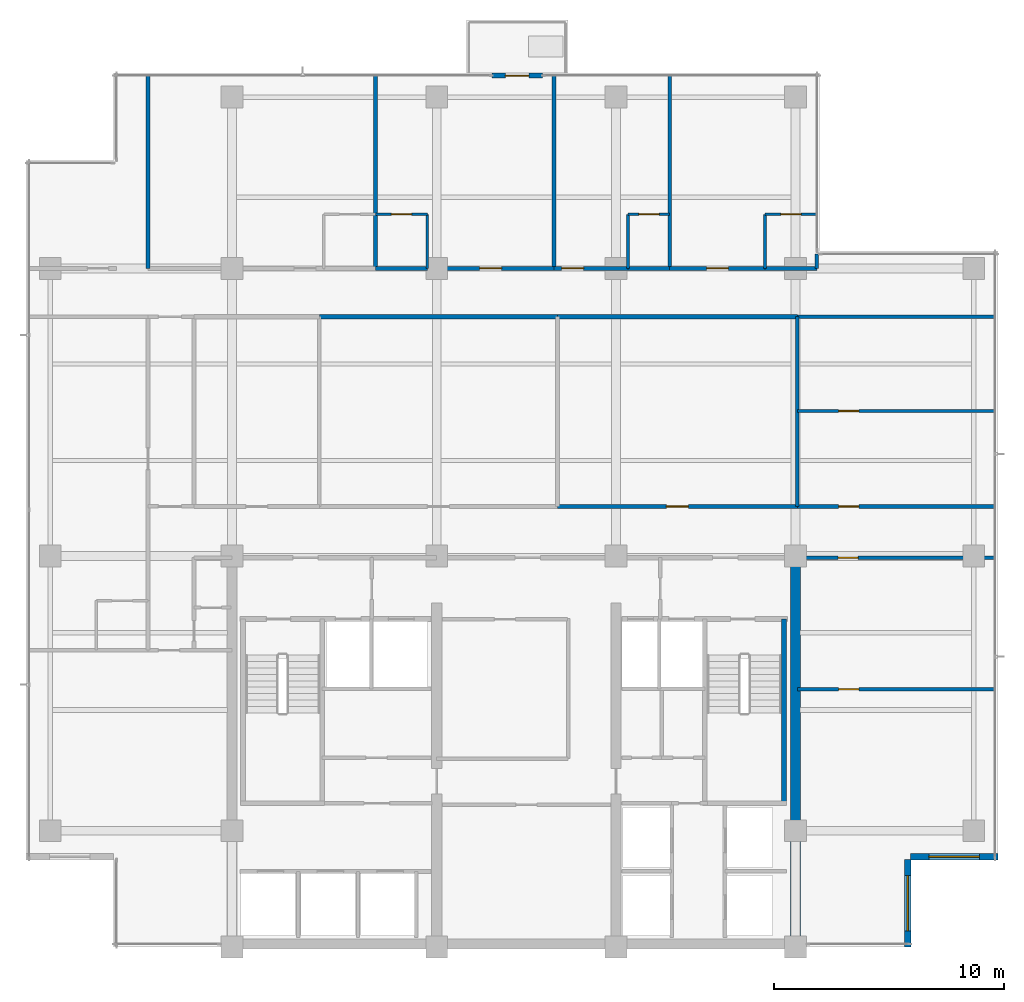
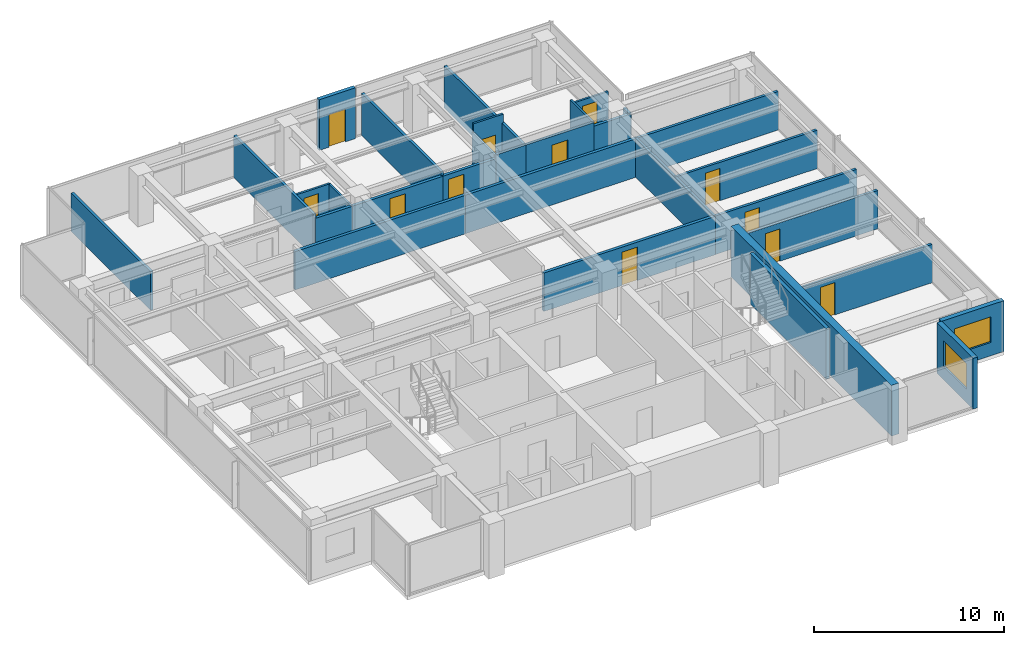
# One storey, part 9 of 15: 31 walls, 12 doors, 2 windows, 14 openings.
"""IFC4 building model written with IfcOpenShell, lengths in metres."""

import ifcopenshell
import ifcopenshell.guid

model = None  # the IFC model being written
_history = None  # IfcOwnerHistory: only IFC2X3 demands one
_inside = {}  # id of a spatial element -> (the spatial element, [elements in it])
_under = {}  # id of a project, library or spatial element -> (it, [spatial elements below it])
_declared = {}  # id of a project -> (the project, [libraries it declares])
_typed = {}  # id of a type object -> (the type object, [elements of that type])
_made_of = {}  # id of a material, layer set ... -> (it, [elements and type objects made of it])


def new_model(schema):
    """Start an empty IFC model of exactly this schema.

    Asked for "IFC4X3", IfcOpenShell would pick the latest addendum, in which some entities
    have other attributes; the version numbers below select the first issue.
    IFC2X3 requires an IfcOwnerHistory on every rooted entity: one is made here for all.
    """
    global model, _history
    if schema == "IFC4X3":
        model = ifcopenshell.file(schema_version=(4, 3, 0, 0))
    else:
        model = ifcopenshell.file(schema=schema)
    _inside.clear()
    _under.clear()
    _declared.clear()
    _typed.clear()
    _made_of.clear()
    _history = None
    if model.schema == "IFC2X3":
        org = make("IfcOrganization", Name="unknown")
        user = make(
            "IfcPersonAndOrganization",
            ThePerson=make("IfcPerson", FamilyName="unknown"),
            TheOrganization=org,
        )
        app = make(
            "IfcApplication",
            ApplicationDeveloper=org,
            Version="unknown",
            ApplicationFullName="unknown",
            ApplicationIdentifier="unknown",
        )
        _history = make(
            "IfcOwnerHistory",
            OwningUser=user,
            OwningApplication=app,
            ChangeAction="ADDED",
            CreationDate=0,
        )
    return model


def make(cls, **values):
    """One entity of the class cls with the attributes given. An attribute that is None is left unset."""
    return model.create_entity(
        cls, **{name: value for name, value in values.items() if value is not None}
    )


def rooted(cls, **values):
    """An entity with a GlobalId (a new one), such as an element, a storey or a relation."""
    return make(cls, GlobalId=ifcopenshell.guid.new(), OwnerHistory=_history, **values)


def si_unit(unit_type, name, prefix=None):
    """IfcSIUnit, for example si_unit("LENGTHUNIT", "METRE", prefix="MILLI")."""
    return make("IfcSIUnit", UnitType=unit_type, Prefix=prefix, Name=name)


def assignment(units):
    """IfcUnitAssignment: the units of a project."""
    return None if units is None else make("IfcUnitAssignment", Units=units)


def point(xyz):
    """IfcCartesianPoint."""
    return None if xyz is None else make("IfcCartesianPoint", Coordinates=xyz)


def direction(xyz):
    """IfcDirection."""
    return None if xyz is None else make("IfcDirection", DirectionRatios=xyz)


def frame(location, z_axis=None, x_axis=None):
    """IfcAxis2Placement3D, a coordinate frame: its origin and axes. An axis left out is left unset."""
    return make(
        "IfcAxis2Placement3D",
        Location=point(location),
        Axis=direction(z_axis),
        RefDirection=direction(x_axis),
    )


def frame_2d(location, x_axis=None):
    """IfcAxis2Placement2D, a coordinate frame in the plane: its origin and x axis."""
    return make(
        "IfcAxis2Placement2D", Location=point(location), RefDirection=direction(x_axis)
    )


def origin():
    """The frame at (0, 0, 0) with its axes left unset."""
    return frame((0.0, 0.0, 0.0))


def place(relative_to, where):
    """IfcLocalPlacement: puts the frame where relative to a parent placement (None: the world)."""
    return make(
        "IfcLocalPlacement", PlacementRelTo=relative_to, RelativePlacement=where
    )


def context(
    kind, dimensions, precision=None, world=None, true_north=None, identifier=None
):
    """IfcGeometricRepresentationContext, for example the 3D "Model" context."""
    return make(
        "IfcGeometricRepresentationContext",
        ContextIdentifier=identifier,
        ContextType=kind,
        CoordinateSpaceDimension=dimensions,
        Precision=precision,
        WorldCoordinateSystem=world,
        TrueNorth=true_north,
    )


def subcontext(parent, identifier, kind, view, scale=None):
    """IfcGeometricRepresentationSubContext, for example "Body" below "Model"."""
    return make(
        "IfcGeometricRepresentationSubContext",
        ContextIdentifier=identifier,
        ContextType=kind,
        ParentContext=parent,
        TargetScale=scale,
        TargetView=view,
    )


def project(units=None, contexts=None):
    """IfcProject with its units and contexts."""
    return rooted(
        "IfcProject",
        Name="project",
        RepresentationContexts=contexts,
        UnitsInContext=assignment(units),
    )


def spatial(cls, under=None, at=None, **own):
    """A site, building, storey or space (cls), placed at a placement, below another one or the project."""
    s = rooted(cls, ObjectPlacement=at, **own)
    if under is not None:
        _under.setdefault(under.id(), (under, []))[1].append(s)
    return s


def profile(cls, at=None, kind="AREA", **sizes):
    """A parametric profile (cls). Its sizes go by their IFC names, for example OverallWidth=200.0."""
    return make(cls, ProfileType=kind, Position=at, **sizes)


def rectangle(**sizes):
    """IfcRectangleProfileDef."""
    return profile("IfcRectangleProfileDef", **sizes)


def extrude(swept, where, along, depth):
    """IfcExtrudedAreaSolid: the profile swept, set in the frame where, extruded along a direction by depth."""
    return make(
        "IfcExtrudedAreaSolid",
        SweptArea=swept,
        Position=where,
        ExtrudedDirection=direction(along),
        Depth=depth,
    )


def shape(context_of_items, identifier, shape_type, items):
    """IfcShapeRepresentation: the items that make up one representation, for example the "Body"."""
    return make(
        "IfcShapeRepresentation",
        ContextOfItems=context_of_items,
        RepresentationIdentifier=identifier,
        RepresentationType=shape_type,
        Items=items,
    )


def material(Name=None, Category=None):
    """IfcMaterial."""
    return make("IfcMaterial", Name=Name, Category=Category)


def layer(
    of_material, thickness, ventilated=None, Name=None, Category=None, Priority=None
):
    """IfcMaterialLayer: one layer of a wall or slab, of a material (None: an air gap)."""
    return make(
        "IfcMaterialLayer",
        Material=of_material,
        LayerThickness=thickness,
        IsVentilated=ventilated,
        Name=Name,
        Category=Category,
        Priority=Priority,
    )


def layer_set(layers, Name=None):
    """IfcMaterialLayerSet."""
    return make("IfcMaterialLayerSet", MaterialLayers=layers, LayerSetName=Name)


def made_of(thing, what):
    """Note that an element or type object is made of a material, layer set ...; save() writes the relation."""
    if what is not None:
        _made_of.setdefault(what.id(), (what, []))[1].append(thing)
    return thing


def type_object(cls, material=None, **own):
    """A type object (cls), such as IfcWallType, which elements share."""
    return made_of(rooted(cls, **own), material)


def element(
    cls,
    number,
    at=None,
    inside=None,
    cuts=None,
    type_object=None,
    material=None,
    context=None,
    identifier="Body",
    shape_type=None,
    held_by="IfcProductDefinitionShape",
    body=None,
    shapes=None,
    **own,
):
    """One element of the class cls, such as IfcWall. Its Tag is "e" and its number.

    at: its placement. inside: the storey or other place that contains it. cuts: it is an
    opening in that element (IfcRelVoidsElement). A single representation is given by context,
    identifier, shape_type and body (its items); several are given by shapes. held_by: the class
    of the entity that holds the representations. save() writes the other relations.
    """
    e = rooted(cls, Tag="e%d" % number, ObjectPlacement=at, **own)
    if body is not None:
        shapes = [shape(context, identifier, shape_type, body)]
    if shapes is not None:
        e.Representation = make(held_by, Representations=shapes)
    if inside is not None:
        _inside.setdefault(inside.id(), (inside, []))[1].append(e)
    if cuts is not None:
        rooted(
            "IfcRelVoidsElement", RelatingBuildingElement=cuts, RelatedOpeningElement=e
        )
    if type_object is not None:
        _typed.setdefault(type_object.id(), (type_object, []))[1].append(e)
    return made_of(e, material)


def fill(opening, filler):
    """IfcRelFillsElement: the door or window that sits in an opening."""
    return rooted(
        "IfcRelFillsElement",
        RelatingOpeningElement=opening,
        RelatedBuildingElement=filler,
    )


def aggregate(whole, parts):
    """IfcRelAggregates: a whole, such as a stair, and the parts it consists of."""
    return rooted("IfcRelAggregates", RelatingObject=whole, RelatedObjects=parts)


def save(model, path):
    """Write the relations noted so far, then the file.

    IfcRelAggregates (storeys below a building ...), IfcRelContainedInSpatialStructure (elements
    in a storey), IfcRelDefinesByType, IfcRelAssociatesMaterial and IfcRelDeclares: one each for
    every whole, place, type object, material and project.
    """
    for whole, parts in _under.values():
        aggregate(whole, parts)
    for where, things in _inside.values():
        rooted(
            "IfcRelContainedInSpatialStructure",
            RelatedElements=things,
            RelatingStructure=where,
        )
    for kind, things in _typed.values():
        rooted("IfcRelDefinesByType", RelatedObjects=things, RelatingType=kind)
    for what, things in _made_of.values():
        rooted("IfcRelAssociatesMaterial", RelatedObjects=things, RelatingMaterial=what)
    for by, libraries in _declared.values():
        rooted("IfcRelDeclares", RelatingContext=by, RelatedDefinitions=libraries)
    model.write(path)


model = new_model("IFC4")

# Units and contexts
model_context = context("Model", 3, precision=1e-05, world=origin(), true_north=direction((0.0, 1.0)))
body_context = subcontext(model_context, "Body", "Model", "MODEL_VIEW")
ifc_project = project(units=[si_unit("LENGTHUNIT", "METRE"), si_unit("AREAUNIT", "SQUARE_METRE"), si_unit("VOLUMEUNIT", "CUBIC_METRE"), si_unit("PLANEANGLEUNIT", "RADIAN"), si_unit("MASSUNIT", "GRAM", prefix="KILO")], contexts=[model_context])

# Site, building, storey
site_placement = place(None, origin())
site = spatial("IfcSite", under=ifc_project, at=site_placement, CompositionType="ELEMENT")
building_placement = place(site_placement, origin())
building = spatial("IfcBuilding", under=site, at=building_placement, Name="Qalmaran Belvedere Hotel", CompositionType="ELEMENT")
storey_placement = place(building_placement, frame((0.0, 0.0, 231.89990234375)))
storey = spatial("IfcBuildingStorey", under=building, at=storey_placement, Name="L59", CompositionType="ELEMENT", Elevation=231.89990234375)

# Wall, opening, door
ifc_material_1 = material(Name="Anodised Bronze Cladding")
ifc_layer_1 = layer(ifc_material_1, 0.22509765625, Name="Anodised Bronze Cladding")
ifc_layer_set_1 = layer_set([ifc_layer_1], Name="Anodised Bronze Cladding")
wall_type_1 = type_object("IfcWallType", Name="WL-BAL-PORT-225", PredefinedType="SOLIDWALL", material=ifc_layer_set_1)
wall_1_placement = place(storey_placement, frame((31.60009765625, 41.3798828125, 0.0), z_axis=(0.0, 0.0, 1.0), x_axis=(1.0, 0.0, 0.0)))
wall_1 = element("IfcWall", 1, at=wall_1_placement, inside=storey, type_object=wall_type_1, Name="L59 Tree Balcony Door Portal", PredefinedType="SOLIDWALL", context=body_context, shape_type="SweptSolid", body=[
    extrude(rectangle(XDim=2.199951171875, YDim=0.22509765625, at=frame_2d((1.10009765625, 0.0))), origin(), (0.0, 0.0, 1.0), 3.260009765625),
])
opening_1_placement = place(wall_1_placement, frame((0.590087890625, 0.0, 0.0)))
opening_1 = element("IfcOpeningElement", 2, at=opening_1_placement, cuts=wall_1, Name="Opening BL-102", PredefinedType="OPENING", context=body_context, shape_type="SweptSolid", body=[
    extrude(rectangle(XDim=1.02001953125, YDim=2.10009765625, at=frame_2d((0.510009765625, 1.050048828125))), frame((0.0, 0.12255859375, 0.0), z_axis=(0.0, -1.0, 0.0), x_axis=(1.0, 0.0, 0.0)), (0.0, 0.0, 1.0), 0.2451171875),
])
ifc_material_2 = material(Name="Anodised Bronze Aluminium", Category="aluminium")
door_type_1 = type_object("IfcDoorType", Name="DR-BAL-1020X2100", OperationType="NOTDEFINED", PredefinedType="DOOR", material=ifc_material_2)
door_1_placement = place(opening_1_placement, origin())
door_1 = element("IfcDoor", 3, at=door_1_placement, inside=storey, type_object=door_type_1, Name="L59 Planted Tree Balcony Door", OperationType="SINGLE_SWING_RIGHT", OverallHeight=2.10009765625, OverallWidth=1.02001953125, PredefinedType="DOOR", context=body_context, shape_type="SweptSolid", body=[
    extrude(rectangle(XDim=1.02001953125, YDim=2.10009765625, at=frame_2d((0.510009765625, 1.050048828125))), frame((0.0, 0.02490234375, 0.0), z_axis=(0.0, -1.0, 0.0), x_axis=(1.0, 0.0, 0.0)), (0.0, 0.0, 1.0), 0.050048828125),
])
fill(opening_1, door_1)

# Wall
ifc_material_3 = material(Name="Concrete C50/60", Category="concrete")
ifc_layer_2 = layer(ifc_material_3, 0.449951171875, Name="Concrete C50/60")
ifc_layer_set_2 = layer_set([ifc_layer_2], Name="Concrete C50/60")
wall_type_2 = type_object("IfcWallType", Name="WL-CORE-450-C50", PredefinedType="SHEAR", material=ifc_layer_set_2)
wall_2_placement = place(storey_placement, frame((44.800048828125, 3.5, 0.0), z_axis=(0.0, 0.0, 1.0), x_axis=(0.0, 1.0, 0.0)))
element("IfcWall", 4, at=wall_2_placement, inside=storey, type_object=wall_type_2, Name="L59 East Core Shear Wall", PredefinedType="SHEAR", context=body_context, shape_type="SweptSolid", body=[
    extrude(rectangle(XDim=16.89990234375, YDim=0.449951171875, at=frame_2d((8.449951171875, 0.0))), origin(), (0.0, 0.0, 1.0), 3.260009765625),
])

# Wall, opening, window
ifc_layer_3 = layer(ifc_material_1, 0.280029296875, Name="Anodised Bronze Cladding")
ifc_layer_set_3 = layer_set([ifc_layer_3], Name="Anodised Bronze Cladding")
wall_type_3 = type_object("IfcWallType", Name="WL-EXT-BRNZ-280", PredefinedType="SOLIDWALL", material=ifc_layer_set_3)
wall_3_placement = place(storey_placement, frame((49.679931640625, 3.5, 0.0), z_axis=(0.0, 0.0, 1.0), x_axis=(0.0, 1.0, 0.0)))
wall_3 = element("IfcWall", 5, at=wall_3_placement, inside=storey, type_object=wall_type_3, Name="L59 Corner Notch Wall 1", PredefinedType="SOLIDWALL", context=body_context, shape_type="SweptSolid", body=[
    extrude(rectangle(XDim=3.800048828125, YDim=0.280029296875, at=frame_2d((1.89990234375, 0.0))), origin(), (0.0, 0.0, 1.0), 3.260009765625),
])
opening_2_placement = place(wall_3_placement, frame((0.699951171875, 0.0, 0.85009765625)))
opening_2 = element("IfcOpeningElement", 6, at=opening_2_placement, cuts=wall_3, Name="Opening W-N24", PredefinedType="OPENING", context=body_context, shape_type="SweptSolid", body=[
    extrude(rectangle(XDim=2.39990234375, YDim=1.64990234375, at=frame_2d((1.199951171875, 0.824951171875))), frame((0.0, 0.14990234375, 0.0), z_axis=(0.0, -1.0, 0.0), x_axis=(1.0, 0.0, 0.0)), (0.0, 0.0, 1.0), 0.300048828125),
])
ifc_material_4 = material(Name="Solar-Control Double Glazing", Category="glass")
window_type_1 = type_object("IfcWindowType", Name="WN-NTC-2400X1650", PartitioningType="SINGLE_PANEL", PredefinedType="WINDOW", material=ifc_material_4)
window_1_placement = place(opening_2_placement, origin())
window_1 = element("IfcWindow", 7, at=window_1_placement, inside=storey, type_object=window_type_1, Name="L59 Corner Notch Window 1", OverallHeight=1.64990234375, OverallWidth=2.39990234375, PartitioningType="SINGLE_PANEL", PredefinedType="WINDOW", context=body_context, shape_type="SweptSolid", body=[
    extrude(rectangle(XDim=2.39990234375, YDim=1.64990234375, at=frame_2d((1.199951171875, 0.824951171875))), frame((0.0, 0.030029296875, 0.0), z_axis=(0.0, -1.0, 0.0), x_axis=(1.0, 0.0, 0.0)), (0.0, 0.0, 1.0), 0.06005859375),
])
fill(opening_2, window_1)

wall_4_placement = place(storey_placement, frame((49.800048828125, 7.419921875, 0.0), z_axis=(0.0, 0.0, 1.0), x_axis=(1.0, 0.0, 0.0)))
wall_4 = element("IfcWall", 8, at=wall_4_placement, inside=storey, type_object=wall_type_3, Name="L59 Corner Notch Wall 2", PredefinedType="SOLIDWALL", context=body_context, shape_type="SweptSolid", body=[
    extrude(rectangle(XDim=3.800048828125, YDim=0.280029296875, at=frame_2d((1.89990234375, 0.0))), origin(), (0.0, 0.0, 1.0), 3.260009765625),
])
opening_3_placement = place(wall_4_placement, frame((0.800048828125, 0.0, 0.85009765625)))
opening_3 = element("IfcOpeningElement", 9, at=opening_3_placement, cuts=wall_4, Name="Opening W-N22", PredefinedType="OPENING", context=body_context, shape_type="SweptSolid", body=[
    extrude(rectangle(XDim=2.199951171875, YDim=1.64990234375, at=frame_2d((1.10009765625, 0.824951171875))), frame((0.0, 0.14990234375, 0.0), z_axis=(0.0, -1.0, 0.0), x_axis=(1.0, 0.0, 0.0)), (0.0, 0.0, 1.0), 0.300048828125),
])
window_type_2 = type_object("IfcWindowType", Name="WN-NTC-2200X1650", PartitioningType="SINGLE_PANEL", PredefinedType="WINDOW", material=ifc_material_4)
window_2_placement = place(opening_3_placement, origin())
window_2 = element("IfcWindow", 10, at=window_2_placement, inside=storey, type_object=window_type_2, Name="L59 Corner Notch Window 2", OverallHeight=1.64990234375, OverallWidth=2.199951171875, PartitioningType="SINGLE_PANEL", PredefinedType="WINDOW", context=body_context, shape_type="SweptSolid", body=[
    extrude(rectangle(XDim=2.199951171875, YDim=1.64990234375, at=frame_2d((1.10009765625, 0.824951171875))), frame((0.0, 0.030029296875, 0.0), z_axis=(0.0, -1.0, 0.0), x_axis=(1.0, 0.0, 0.0)), (0.0, 0.0, 1.0), 0.06005859375),
])
fill(opening_3, window_2)

# Wall, opening, door
ifc_material_5 = material(Name="Moisture-Resistant Gypsum")
ifc_layer_4 = layer(ifc_material_5, 0.1201171875, Name="Moisture-Resistant Gypsum")
ifc_layer_set_4 = layer_set([ifc_layer_4], Name="Moisture-Resistant Gypsum")
wall_type_4 = type_object("IfcWallType", Name="WL-INT-120-BATH", PredefinedType="PARTITIONING", material=ifc_layer_set_4)
wall_5_placement = place(storey_placement, frame((26.540283203125, 35.35009765625, 0.0), z_axis=(0.0, 0.0, 1.0), x_axis=(1.0, 0.0, 0.0)))
wall_5 = element("IfcWall", 11, at=wall_5_placement, inside=storey, type_object=wall_type_4, Name="L59 Partition WL-L59-NBN01", PredefinedType="PARTITIONING", context=body_context, shape_type="SweptSolid", body=[
    extrude(rectangle(XDim=2.25, YDim=0.1201171875, at=frame_2d((1.125, 0.0))), origin(), (0.0, 0.0, 1.0), 2.47216796875),
])
opening_4_placement = place(wall_5_placement, frame((1.56494140625, 0.0, 0.0), z_axis=(0.0, 0.0, 1.0), x_axis=(-1.0, 0.0, 0.0)))
opening_4 = element("IfcOpeningElement", 12, at=opening_4_placement, cuts=wall_5, Name="Opening D-BATH", PredefinedType="OPENING", context=body_context, shape_type="SweptSolid", body=[
    extrude(rectangle(XDim=0.8798828125, YDim=2.080078125, at=frame_2d((0.43994140625, 1.0400390625))), frame((0.0, 0.070068359375, 0.0), z_axis=(0.0, -1.0, 0.0), x_axis=(1.0, 0.0, 0.0)), (0.0, 0.0, 1.0), 0.14013671875),
])
ifc_material_6 = material(Name="Engineered Oak Veneer")
door_type_2 = type_object("IfcDoorType", Name="DR-INT-BATH-880X2080", OperationType="NOTDEFINED", PredefinedType="DOOR", material=ifc_material_6)
door_2_placement = place(opening_4_placement, origin())
door_2 = element("IfcDoor", 13, at=door_2_placement, inside=storey, type_object=door_type_2, Name="L59 Ensuite Bathroom Door N02", OperationType="SINGLE_SWING_LEFT", OverallHeight=2.080078125, OverallWidth=0.8798828125, PredefinedType="DOOR", context=body_context, shape_type="SweptSolid", body=[
    extrude(rectangle(XDim=0.8798828125, YDim=2.080078125, at=frame_2d((0.43994140625, 1.0400390625))), frame((0.0, 0.02490234375, 0.0), z_axis=(0.0, -1.0, 0.0), x_axis=(1.0, 0.0, 0.0)), (0.0, 0.0, 1.0), 0.050048828125),
])
fill(opening_4, door_2)

# Wall
wall_6_placement = place(storey_placement, frame((28.790283203125, 33.0, 0.0), z_axis=(0.0, 0.0, 1.0), x_axis=(0.0, 1.0, 0.0)))
element("IfcWall", 14, at=wall_6_placement, inside=storey, type_object=wall_type_4, Name="L59 Partition WL-L59-NBS01", PredefinedType="PARTITIONING", context=body_context, shape_type="SweptSolid", body=[
    extrude(rectangle(XDim=2.35009765625, YDim=0.1201171875, at=frame_2d((1.175048828125, 0.0))), origin(), (0.0, 0.0, 1.0), 2.47216796875),
])

# Wall, opening, door
wall_7_placement = place(storey_placement, frame((37.5234375, 35.35009765625, 0.0), z_axis=(0.0, 0.0, 1.0), x_axis=(1.0, 0.0, 0.0)))
wall_7 = element("IfcWall", 15, at=wall_7_placement, inside=storey, type_object=wall_type_4, Name="L59 Partition WL-L59-NBN02", PredefinedType="PARTITIONING", context=body_context, shape_type="SweptSolid", body=[
    extrude(rectangle(XDim=1.81005859375, YDim=0.1201171875, at=frame_2d((0.905029296875, 0.0))), origin(), (0.0, 0.0, 1.0), 3.260009765625),
])
opening_5_placement = place(wall_7_placement, frame((1.344970703125, 0.0, 0.0), z_axis=(0.0, 0.0, 1.0), x_axis=(-1.0, 0.0, 0.0)))
opening_5 = element("IfcOpeningElement", 16, at=opening_5_placement, cuts=wall_7, Name="Opening D-BATH", PredefinedType="OPENING", context=body_context, shape_type="SweptSolid", body=[
    extrude(rectangle(XDim=0.8798828125, YDim=2.080078125, at=frame_2d((0.43994140625, 1.0400390625))), frame((0.0, 0.070068359375, 0.0), z_axis=(0.0, -1.0, 0.0), x_axis=(1.0, 0.0, 0.0)), (0.0, 0.0, 1.0), 0.14013671875),
])
door_3_placement = place(opening_5_placement, origin())
door_3 = element("IfcDoor", 17, at=door_3_placement, inside=storey, type_object=door_type_2, Name="L59 Ensuite Bathroom Door N03", OperationType="SINGLE_SWING_LEFT", OverallHeight=2.080078125, OverallWidth=0.8798828125, PredefinedType="DOOR", context=body_context, shape_type="SweptSolid", body=[
    extrude(rectangle(XDim=0.8798828125, YDim=2.080078125, at=frame_2d((0.43994140625, 1.0400390625))), frame((0.0, 0.02490234375, 0.0), z_axis=(0.0, -1.0, 0.0), x_axis=(1.0, 0.0, 0.0)), (0.0, 0.0, 1.0), 0.050048828125),
])
fill(opening_5, door_3)

# Wall
wall_8_placement = place(storey_placement, frame((37.5234375, 33.0, 0.0), z_axis=(0.0, 0.0, 1.0), x_axis=(0.0, 1.0, 0.0)))
element("IfcWall", 18, at=wall_8_placement, inside=storey, type_object=wall_type_4, Name="L59 Partition WL-L59-NBS02", PredefinedType="PARTITIONING", context=body_context, shape_type="SweptSolid", body=[
    extrude(rectangle(XDim=2.35009765625, YDim=0.1201171875, at=frame_2d((1.175048828125, 0.0))), origin(), (0.0, 0.0, 1.0), 2.7060546875),
])

# Wall, opening, door
wall_9_placement = place(storey_placement, frame((43.47998046875, 35.35009765625, 0.0), z_axis=(0.0, 0.0, 1.0), x_axis=(1.0, 0.0, 0.0)))
wall_9 = element("IfcWall", 19, at=wall_9_placement, inside=storey, type_object=wall_type_4, Name="L59 Partition WL-L59-NBN03", PredefinedType="PARTITIONING", context=body_context, shape_type="SweptSolid", body=[
    extrude(rectangle(XDim=2.25, YDim=0.1201171875, at=frame_2d((1.125, 0.0))), origin(), (0.0, 0.0, 1.0), 2.47216796875),
])
opening_6_placement = place(wall_9_placement, frame((1.56494140625, 0.0, 0.0), z_axis=(0.0, 0.0, 1.0), x_axis=(-1.0, 0.0, 0.0)))
opening_6 = element("IfcOpeningElement", 20, at=opening_6_placement, cuts=wall_9, Name="Opening D-BATH", PredefinedType="OPENING", context=body_context, shape_type="SweptSolid", body=[
    extrude(rectangle(XDim=0.8798828125, YDim=2.080078125, at=frame_2d((0.43994140625, 1.0400390625))), frame((0.0, 0.070068359375, 0.0), z_axis=(0.0, -1.0, 0.0), x_axis=(1.0, 0.0, 0.0)), (0.0, 0.0, 1.0), 0.14013671875),
])
door_4_placement = place(opening_6_placement, origin())
door_4 = element("IfcDoor", 21, at=door_4_placement, inside=storey, type_object=door_type_2, Name="L59 Ensuite Bathroom Door N04", OperationType="SINGLE_SWING_LEFT", OverallHeight=2.080078125, OverallWidth=0.8798828125, PredefinedType="DOOR", context=body_context, shape_type="SweptSolid", body=[
    extrude(rectangle(XDim=0.8798828125, YDim=2.080078125, at=frame_2d((0.43994140625, 1.0400390625))), frame((0.0, 0.02490234375, 0.0), z_axis=(0.0, -1.0, 0.0), x_axis=(1.0, 0.0, 0.0)), (0.0, 0.0, 1.0), 0.050048828125),
])
fill(opening_6, door_4)

# Wall
wall_10_placement = place(storey_placement, frame((43.47998046875, 33.0, 0.0), z_axis=(0.0, 0.0, 1.0), x_axis=(0.0, 1.0, 0.0)))
element("IfcWall", 22, at=wall_10_placement, inside=storey, type_object=wall_type_4, Name="L59 Partition WL-L59-NBS03", PredefinedType="PARTITIONING", context=body_context, shape_type="SweptSolid", body=[
    extrude(rectangle(XDim=2.35009765625, YDim=0.1201171875, at=frame_2d((1.175048828125, 0.0))), origin(), (0.0, 0.0, 1.0), 2.7060546875),
])

# Wall, opening, door
ifc_material_7 = material(Name="Gypsum Stud Partition")
ifc_layer_5 = layer(ifc_material_7, 0.14990234375, Name="Gypsum Stud Partition")
ifc_layer_set_5 = layer_set([ifc_layer_5], Name="Gypsum Stud Partition")
wall_type_5 = type_object("IfcWallType", Name="WL-INT-150-EI60", PredefinedType="PARTITIONING", material=ifc_layer_set_5)
wall_11_placement = place(storey_placement, frame((44.8798828125, 14.699951171875, 0.0), z_axis=(0.0, 0.0, 1.0), x_axis=(1.0, 0.0, 0.0)))
wall_11 = element("IfcWall", 23, at=wall_11_placement, inside=storey, type_object=wall_type_5, Name="L59 Partition WL-L59-ECEH0", PredefinedType="PARTITIONING", context=body_context, shape_type="SweptSolid", body=[
    extrude(rectangle(XDim=8.60009765625, YDim=0.14990234375, at=frame_2d((4.300048828125, 0.0))), origin(), (0.0, 0.0, 1.0), 2.47216796875),
])
opening_7_placement = place(wall_11_placement, frame((2.679931640625, 0.0, 0.0), z_axis=(0.0, 0.0, 1.0), x_axis=(-1.0, 0.0, 0.0)))
opening_7 = element("IfcOpeningElement", 24, at=opening_7_placement, cuts=wall_11, Name="Opening FD60B", PredefinedType="OPENING", context=body_context, shape_type="SweptSolid", body=[
    extrude(rectangle(XDim=0.8798828125, YDim=2.080078125, at=frame_2d((0.43994140625, 1.0400390625))), frame((0.0, 0.0849609375, 0.0), z_axis=(0.0, -1.0, 0.0), x_axis=(1.0, 0.0, 0.0)), (0.0, 0.0, 1.0), 0.169921875),
])
ifc_material_8 = material(Name="Steel S355JR", Category="steel")
door_type_3 = type_object("IfcDoorType", Name="DR-FD60B-880X2080", OperationType="NOTDEFINED", PredefinedType="DOOR", material=ifc_material_8)
door_5_placement = place(opening_7_placement, origin())
door_5 = element("IfcDoor", 25, at=door_5_placement, inside=storey, type_object=door_type_3, Name="L59 East Study Inner Door", OperationType="SINGLE_SWING_RIGHT", OverallHeight=2.080078125, OverallWidth=0.8798828125, PredefinedType="DOOR", context=body_context, shape_type="SweptSolid", body=[
    extrude(rectangle(XDim=0.8798828125, YDim=2.080078125, at=frame_2d((0.43994140625, 1.0400390625))), frame((0.0, 0.02490234375, 0.0), z_axis=(0.0, -1.0, 0.0), x_axis=(1.0, 0.0, 0.0)), (0.0, 0.0, 1.0), 0.050048828125),
])
fill(opening_7, door_5)

wall_12_placement = place(storey_placement, frame((44.8798828125, 26.800048828125, 0.0), z_axis=(0.0, 0.0, 1.0), x_axis=(1.0, 0.0, 0.0)))
wall_12 = element("IfcWall", 26, at=wall_12_placement, inside=storey, type_object=wall_type_5, Name="L59 Partition WL-L59-ECEH2", PredefinedType="PARTITIONING", context=body_context, shape_type="SweptSolid", body=[
    extrude(rectangle(XDim=8.60009765625, YDim=0.14990234375, at=frame_2d((4.300048828125, 0.0))), origin(), (0.0, 0.0, 1.0), 2.47216796875),
])
opening_8_placement = place(wall_12_placement, frame((1.800048828125, 0.0, 0.0)))
opening_8 = element("IfcOpeningElement", 27, at=opening_8_placement, cuts=wall_12, Name="Opening FD60B", PredefinedType="OPENING", context=body_context, shape_type="SweptSolid", body=[
    extrude(rectangle(XDim=0.8798828125, YDim=2.080078125, at=frame_2d((0.43994140625, 1.0400390625))), frame((0.0, 0.0849609375, 0.0), z_axis=(0.0, -1.0, 0.0), x_axis=(1.0, 0.0, 0.0)), (0.0, 0.0, 1.0), 0.169921875),
])
door_6_placement = place(opening_8_placement, origin())
door_6 = element("IfcDoor", 28, at=door_6_placement, inside=storey, type_object=door_type_3, Name="L59 East Meditation Door", OperationType="SINGLE_SWING_LEFT", OverallHeight=2.080078125, OverallWidth=0.8798828125, PredefinedType="DOOR", context=body_context, shape_type="SweptSolid", body=[
    extrude(rectangle(XDim=0.8798828125, YDim=2.080078125, at=frame_2d((0.43994140625, 1.0400390625))), frame((0.0, 0.02490234375, 0.0), z_axis=(0.0, -1.0, 0.0), x_axis=(1.0, 0.0, 0.0)), (0.0, 0.0, 1.0), 0.050048828125),
])
fill(opening_8, door_6)

ifc_layer_6 = layer(ifc_material_7, 0.159912109375, Name="Gypsum Stud Partition")
ifc_layer_set_6 = layer_set([ifc_layer_6], Name="Gypsum Stud Partition")
wall_type_6 = type_object("IfcWallType", Name="WL-INT-160-EI60", PredefinedType="PARTITIONING", material=ifc_layer_set_6)
wall_13_placement = place(storey_placement, frame((44.800048828125, 20.419921875, 0.0), z_axis=(0.0, 0.0, 1.0), x_axis=(1.0, 0.0, 0.0)))
wall_13 = element("IfcWall", 29, at=wall_13_placement, inside=storey, type_object=wall_type_6, Name="L59 Partition WL-L59-ECE1S", PredefinedType="PARTITIONING", context=body_context, shape_type="SweptSolid", body=[
    extrude(rectangle(XDim=8.679931640625, YDim=0.159912109375, at=frame_2d((4.33984375, 0.0))), origin(), (0.0, 0.0, 1.0), 2.47216796875),
])
opening_9_placement = place(wall_13_placement, frame((2.72998046875, 0.0, 0.0), z_axis=(0.0, 0.0, 1.0), x_axis=(-1.0, 0.0, 0.0)))
opening_9 = element("IfcOpeningElement", 30, at=opening_9_placement, cuts=wall_13, Name="Opening FD60B", PredefinedType="OPENING", context=body_context, shape_type="SweptSolid", body=[
    extrude(rectangle(XDim=0.8798828125, YDim=2.080078125, at=frame_2d((0.43994140625, 1.0400390625))), frame((0.0, 0.08984375, 0.0), z_axis=(0.0, -1.0, 0.0), x_axis=(1.0, 0.0, 0.0)), (0.0, 0.0, 1.0), 0.179931640625),
])
door_7_placement = place(opening_9_placement, origin())
door_7 = element("IfcDoor", 31, at=door_7_placement, inside=storey, type_object=door_type_3, Name="L59 East Library Door", OperationType="SINGLE_SWING_RIGHT", OverallHeight=2.080078125, OverallWidth=0.8798828125, PredefinedType="DOOR", context=body_context, shape_type="SweptSolid", body=[
    extrude(rectangle(XDim=0.8798828125, YDim=2.080078125, at=frame_2d((0.43994140625, 1.0400390625))), frame((0.0, 0.02490234375, 0.0), z_axis=(0.0, -1.0, 0.0), x_axis=(1.0, 0.0, 0.0)), (0.0, 0.0, 1.0), 0.050048828125),
])
fill(opening_9, door_7)

wall_14_placement = place(storey_placement, frame((44.8798828125, 22.64990234375, 0.0), z_axis=(0.0, 0.0, 1.0), x_axis=(1.0, 0.0, 0.0)))
wall_14 = element("IfcWall", 32, at=wall_14_placement, inside=storey, type_object=wall_type_6, Name="L59 Partition WL-L59-ECE2N", PredefinedType="PARTITIONING", context=body_context, shape_type="SweptSolid", body=[
    extrude(rectangle(XDim=8.60009765625, YDim=0.159912109375, at=frame_2d((4.300048828125, 0.0))), origin(), (0.0, 0.0, 1.0), 2.47216796875),
])
opening_10_placement = place(wall_14_placement, frame((1.800048828125, 0.0, 0.0)))
opening_10 = element("IfcOpeningElement", 33, at=opening_10_placement, cuts=wall_14, Name="Opening FD60B", PredefinedType="OPENING", context=body_context, shape_type="SweptSolid", body=[
    extrude(rectangle(XDim=0.8798828125, YDim=2.080078125, at=frame_2d((0.43994140625, 1.0400390625))), frame((0.0, 0.08984375, 0.0), z_axis=(0.0, -1.0, 0.0), x_axis=(1.0, 0.0, 0.0)), (0.0, 0.0, 1.0), 0.179931640625),
])
door_8_placement = place(opening_10_placement, origin())
door_8 = element("IfcDoor", 34, at=door_8_placement, inside=storey, type_object=door_type_3, Name="L59 East Fitness Door", OperationType="SINGLE_SWING_LEFT", OverallHeight=2.080078125, OverallWidth=0.8798828125, PredefinedType="DOOR", context=body_context, shape_type="SweptSolid", body=[
    extrude(rectangle(XDim=0.8798828125, YDim=2.080078125, at=frame_2d((0.43994140625, 1.0400390625))), frame((0.0, 0.02490234375, 0.0), z_axis=(0.0, -1.0, 0.0), x_axis=(1.0, 0.0, 0.0)), (0.0, 0.0, 1.0), 0.050048828125),
])
fill(opening_10, door_8)

# Walls
wall_15_placement = place(storey_placement, frame((44.8798828125, 30.89990234375, 0.0), z_axis=(0.0, 0.0, 1.0), x_axis=(1.0, 0.0, 0.0)))
element("IfcWall", 35, at=wall_15_placement, inside=storey, type_object=wall_type_6, Name="L59 Partition WL-L59-ECEN", PredefinedType="PARTITIONING", context=body_context, shape_type="SweptSolid", body=[
    extrude(rectangle(XDim=8.60009765625, YDim=0.159912109375, at=frame_2d((4.300048828125, 0.0))), origin(), (0.0, 0.0, 1.0), 2.47216796875),
])
wall_16_placement = place(storey_placement, frame((44.8798828125, 22.64990234375, 0.0), z_axis=(0.0, 0.0, 1.0), x_axis=(0.0, 1.0, 0.0)))
element("IfcWall", 36, at=wall_16_placement, inside=storey, type_object=wall_type_6, Name="L59 Partition WL-L59-MIDVR3", PredefinedType="PARTITIONING", context=body_context, shape_type="SweptSolid", body=[
    extrude(rectangle(XDim=8.25, YDim=0.159912109375, at=frame_2d((4.125, 0.0))), origin(), (0.0, 0.0, 1.0), 2.47216796875),
])
wall_17_placement = place(storey_placement, frame((16.64990234375, 33.0, 0.0), z_axis=(0.0, 0.0, 1.0), x_axis=(0.0, 1.0, 0.0)))
element("IfcWall", 37, at=wall_17_placement, inside=storey, type_object=wall_type_6, Name="L59 Partition WL-L59-NUL", PredefinedType="PARTITIONING", context=body_context, shape_type="SweptSolid", body=[
    extrude(rectangle(XDim=8.3798828125, YDim=0.159912109375, at=frame_2d((4.18994140625, 0.0))), origin(), (0.0, 0.0, 1.0), 2.47216796875),
])
for number, where, z_axis, x_axis, name in (
    (38, (26.540283203125, 33.0, 0.0), (0.0, 0.0, 1.0), (0.0, 1.0, 0.0), "L59 Partition WL-L59-NUR00"),
    (39, (34.300048828125, 33.0, 0.0), (0.0, 0.0, 1.0), (0.0, 1.0, 0.0), "L59 Partition WL-L59-NUR01"),
    (40, (39.33349609375, 33.0, 0.0), (0.0, 0.0, 1.0), (0.0, 1.0, 0.0), "L59 Partition WL-L59-NUR02"),
):
    element("IfcWall", number, at=place(storey_placement, frame(where, z_axis=z_axis, x_axis=x_axis)), inside=storey, type_object=wall_type_6, Name=name, PredefinedType="PARTITIONING", context=body_context, shape_type="SweptSolid", body=[
        extrude(rectangle(XDim=8.3798828125, YDim=0.159912109375, at=frame_2d((4.18994140625, 0.0))), origin(), (0.0, 0.0, 1.0), 2.7060546875),
    ])
wall_18_placement = place(storey_placement, frame((45.72998046875, 33.0, 0.0), z_axis=(0.0, 0.0, 1.0), x_axis=(0.0, 1.0, 0.0)))
element("IfcWall", 41, at=wall_18_placement, inside=storey, type_object=wall_type_6, Name="L59 Partition WL-L59-NUR03", PredefinedType="PARTITIONING", context=body_context, shape_type="SweptSolid", body=[
    extrude(rectangle(XDim=0.6298828125, YDim=0.159912109375, at=frame_2d((0.31494140625, 0.0))), origin(), (0.0, 0.0, 1.0), 2.47216796875),
])
ifc_layer_7 = layer(ifc_material_7, 0.179931640625, Name="Gypsum Stud Partition")
ifc_layer_set_7 = layer_set([ifc_layer_7], Name="Gypsum Stud Partition")
wall_type_7 = type_object("IfcWallType", Name="WL-INT-180-EI60", PredefinedType="PARTITIONING", material=ifc_layer_set_7)
wall_19_placement = place(storey_placement, frame((24.10009765625, 30.89990234375, 0.0), z_axis=(0.0, 0.0, 1.0), x_axis=(1.0, 0.0, 0.0)))
element("IfcWall", 42, at=wall_19_placement, inside=storey, type_object=wall_type_7, Name="L59 Partition WL-L59-MIDO2", PredefinedType="PARTITIONING", context=body_context, shape_type="SweptSolid", body=[
    extrude(rectangle(XDim=10.349853515625, YDim=0.179931640625, at=frame_2d((5.1748046875, 0.0))), origin(), (0.0, 0.0, 1.0), 2.47216796875),
])

# Wall, opening, door
wall_20_placement = place(storey_placement, frame((34.449951171875, 22.64990234375, 0.0), z_axis=(0.0, 0.0, 1.0), x_axis=(1.0, 0.0, 0.0)))
wall_20 = element("IfcWall", 43, at=wall_20_placement, inside=storey, type_object=wall_type_7, Name="L59 Partition WL-L59-MIDD3", PredefinedType="PARTITIONING", context=body_context, shape_type="SweptSolid", body=[
    extrude(rectangle(XDim=10.429931640625, YDim=0.179931640625, at=frame_2d((5.21484375, 0.0))), origin(), (0.0, 0.0, 1.0), 2.47216796875),
])
opening_11_placement = place(wall_20_placement, frame((4.739990234375, 0.0, 0.0)))
opening_11 = element("IfcOpeningElement", 44, at=opening_11_placement, cuts=wall_20, Name="Opening FD60", PredefinedType="OPENING", context=body_context, shape_type="SweptSolid", body=[
    extrude(rectangle(XDim=0.949951171875, YDim=2.14990234375, at=frame_2d((0.47509765625, 1.074951171875))), frame((0.0, 0.10009765625, 0.0), z_axis=(0.0, -1.0, 0.0), x_axis=(1.0, 0.0, 0.0)), (0.0, 0.0, 1.0), 0.199951171875),
])
door_type_4 = type_object("IfcDoorType", Name="DR-FD60-950X2150", OperationType="NOTDEFINED", PredefinedType="DOOR", material=ifc_material_6)
door_9_placement = place(opening_11_placement, origin())
door_9 = element("IfcDoor", 45, at=door_9_placement, inside=storey, type_object=door_type_4, Name="L59 Butler Pantry Door", OperationType="SINGLE_SWING_RIGHT", OverallHeight=2.14990234375, OverallWidth=0.949951171875, PredefinedType="DOOR", context=body_context, shape_type="SweptSolid", body=[
    extrude(rectangle(XDim=0.949951171875, YDim=2.14990234375, at=frame_2d((0.47509765625, 1.074951171875))), frame((0.0, 0.02490234375, 0.0), z_axis=(0.0, -1.0, 0.0), x_axis=(1.0, 0.0, 0.0)), (0.0, 0.0, 1.0), 0.050048828125),
])
fill(opening_11, door_9)

# Walls
wall_21_placement = place(storey_placement, frame((34.449951171875, 30.89990234375, 0.0), z_axis=(0.0, 0.0, 1.0), x_axis=(1.0, 0.0, 0.0)))
element("IfcWall", 46, at=wall_21_placement, inside=storey, type_object=wall_type_7, Name="L59 Partition WL-L59-MIDO3", PredefinedType="PARTITIONING", context=body_context, shape_type="SweptSolid", body=[
    extrude(rectangle(XDim=10.429931640625, YDim=0.179931640625, at=frame_2d((5.21484375, 0.0))), origin(), (0.0, 0.0, 1.0), 2.47216796875),
])
wall_22_placement = place(storey_placement, frame((26.540283203125, 33.0, 0.0), z_axis=(0.0, 0.0, 1.0), x_axis=(1.0, 0.0, 0.0)))
element("IfcWall", 47, at=wall_22_placement, inside=storey, type_object=wall_type_7, Name="L59 Partition WL-L59-NBC01", PredefinedType="PARTITIONING", context=body_context, shape_type="SweptSolid", body=[
    extrude(rectangle(XDim=2.25, YDim=0.179931640625, at=frame_2d((1.125, 0.0))), origin(), (0.0, 0.0, 1.0), 2.47216796875),
])

# Wall, opening, door
wall_23_placement = place(storey_placement, frame((28.790283203125, 33.0, 0.0), z_axis=(0.0, 0.0, 1.0), x_axis=(1.0, 0.0, 0.0)))
wall_23 = element("IfcWall", 48, at=wall_23_placement, inside=storey, type_object=wall_type_7, Name="L59 Partition WL-L59-NEC01", PredefinedType="PARTITIONING", context=body_context, shape_type="SweptSolid", body=[
    extrude(rectangle(XDim=5.509765625, YDim=0.179931640625, at=frame_2d((2.7548828125, 0.0))), origin(), (0.0, 0.0, 1.0), 2.47216796875),
])
opening_12_placement = place(wall_23_placement, frame((2.27978515625, 0.0, 0.0)))
opening_12 = element("IfcOpeningElement", 49, at=opening_12_placement, cuts=wall_23, Name="Opening FD60", PredefinedType="OPENING", context=body_context, shape_type="SweptSolid", body=[
    extrude(rectangle(XDim=0.949951171875, YDim=2.14990234375, at=frame_2d((0.47509765625, 1.074951171875))), frame((0.0, 0.10009765625, 0.0), z_axis=(0.0, -1.0, 0.0), x_axis=(1.0, 0.0, 0.0)), (0.0, 0.0, 1.0), 0.199951171875),
])
door_10_placement = place(opening_12_placement, origin())
door_10 = element("IfcDoor", 50, at=door_10_placement, inside=storey, type_object=door_type_4, Name="L59 Guest Entrance Door N02", OperationType="SINGLE_SWING_RIGHT", OverallHeight=2.14990234375, OverallWidth=0.949951171875, PredefinedType="DOOR", context=body_context, shape_type="SweptSolid", body=[
    extrude(rectangle(XDim=0.949951171875, YDim=2.14990234375, at=frame_2d((0.47509765625, 1.074951171875))), frame((0.0, 0.02490234375, 0.0), z_axis=(0.0, -1.0, 0.0), x_axis=(1.0, 0.0, 0.0)), (0.0, 0.0, 1.0), 0.050048828125),
])
fill(opening_12, door_10)

# Wall
wall_24_placement = place(storey_placement, frame((37.5234375, 33.0, 0.0), z_axis=(0.0, 0.0, 1.0), x_axis=(1.0, 0.0, 0.0)))
element("IfcWall", 51, at=wall_24_placement, inside=storey, type_object=wall_type_7, Name="L59 Partition WL-L59-NBC02", PredefinedType="PARTITIONING", context=body_context, shape_type="SweptSolid", body=[
    extrude(rectangle(XDim=1.81005859375, YDim=0.179931640625, at=frame_2d((0.905029296875, 0.0))), origin(), (0.0, 0.0, 1.0), 2.7060546875),
])

# Wall, opening, door
wall_25_placement = place(storey_placement, frame((34.300048828125, 33.0, 0.0), z_axis=(0.0, 0.0, 1.0), x_axis=(1.0, 0.0, 0.0)))
wall_25 = element("IfcWall", 52, at=wall_25_placement, inside=storey, type_object=wall_type_7, Name="L59 Partition WL-L59-NEC02", PredefinedType="PARTITIONING", context=body_context, shape_type="SweptSolid", body=[
    extrude(rectangle(XDim=3.223388671875, YDim=0.179931640625, at=frame_2d((1.61181640625, 0.0))), origin(), (0.0, 0.0, 1.0), 2.47216796875),
])
opening_13_placement = place(wall_25_placement, frame((0.334716796875, 0.0, 0.0)))
opening_13 = element("IfcOpeningElement", 53, at=opening_13_placement, cuts=wall_25, Name="Opening FD60", PredefinedType="OPENING", context=body_context, shape_type="SweptSolid", body=[
    extrude(rectangle(XDim=0.949951171875, YDim=2.14990234375, at=frame_2d((0.47509765625, 1.074951171875))), frame((0.0, 0.10009765625, 0.0), z_axis=(0.0, -1.0, 0.0), x_axis=(1.0, 0.0, 0.0)), (0.0, 0.0, 1.0), 0.199951171875),
])
door_11_placement = place(opening_13_placement, origin())
door_11 = element("IfcDoor", 54, at=door_11_placement, inside=storey, type_object=door_type_4, Name="L59 Guest Entrance Door N03", OperationType="SINGLE_SWING_RIGHT", OverallHeight=2.14990234375, OverallWidth=0.949951171875, PredefinedType="DOOR", context=body_context, shape_type="SweptSolid", body=[
    extrude(rectangle(XDim=0.949951171875, YDim=2.14990234375, at=frame_2d((0.47509765625, 1.074951171875))), frame((0.0, 0.02490234375, 0.0), z_axis=(0.0, -1.0, 0.0), x_axis=(1.0, 0.0, 0.0)), (0.0, 0.0, 1.0), 0.050048828125),
])
fill(opening_13, door_11)

# Wall
wall_26_placement = place(storey_placement, frame((43.47998046875, 33.0, 0.0), z_axis=(0.0, 0.0, 1.0), x_axis=(1.0, 0.0, 0.0)))
element("IfcWall", 55, at=wall_26_placement, inside=storey, type_object=wall_type_7, Name="L59 Partition WL-L59-NBC03", PredefinedType="PARTITIONING", context=body_context, shape_type="SweptSolid", body=[
    extrude(rectangle(XDim=2.25, YDim=0.179931640625, at=frame_2d((1.125, 0.0))), origin(), (0.0, 0.0, 1.0), 2.47216796875),
])

# Wall, opening, door
wall_27_placement = place(storey_placement, frame((39.33349609375, 33.0, 0.0), z_axis=(0.0, 0.0, 1.0), x_axis=(1.0, 0.0, 0.0)))
wall_27 = element("IfcWall", 56, at=wall_27_placement, inside=storey, type_object=wall_type_7, Name="L59 Partition WL-L59-NEC03", PredefinedType="PARTITIONING", context=body_context, shape_type="SweptSolid", body=[
    extrude(rectangle(XDim=4.146484375, YDim=0.179931640625, at=frame_2d((2.0732421875, 0.0))), origin(), (0.0, 0.0, 1.0), 2.7060546875),
])
opening_14_placement = place(wall_27_placement, frame((1.598388671875, 0.0, 0.0)))
opening_14 = element("IfcOpeningElement", 57, at=opening_14_placement, cuts=wall_27, Name="Opening FD60", PredefinedType="OPENING", context=body_context, shape_type="SweptSolid", body=[
    extrude(rectangle(XDim=0.949951171875, YDim=2.14990234375, at=frame_2d((0.47509765625, 1.074951171875))), frame((0.0, 0.10009765625, 0.0), z_axis=(0.0, -1.0, 0.0), x_axis=(1.0, 0.0, 0.0)), (0.0, 0.0, 1.0), 0.199951171875),
])
door_12_placement = place(opening_14_placement, origin())
door_12 = element("IfcDoor", 58, at=door_12_placement, inside=storey, type_object=door_type_4, Name="L59 Guest Entrance Door N04", OperationType="SINGLE_SWING_RIGHT", OverallHeight=2.14990234375, OverallWidth=0.949951171875, PredefinedType="DOOR", context=body_context, shape_type="SweptSolid", body=[
    extrude(rectangle(XDim=0.949951171875, YDim=2.14990234375, at=frame_2d((0.47509765625, 1.074951171875))), frame((0.0, 0.02490234375, 0.0), z_axis=(0.0, -1.0, 0.0), x_axis=(1.0, 0.0, 0.0)), (0.0, 0.0, 1.0), 0.050048828125),
])
fill(opening_14, door_12)

# Wall
ifc_layer_8 = layer(ifc_material_3, 0.2099609375, Name="Concrete C50/60")
ifc_layer_set_8 = layer_set([ifc_layer_8], Name="Concrete C50/60")
wall_type_8 = type_object("IfcWallType", Name="WL-STAIR-210-C50", PredefinedType="SHEAR", material=ifc_layer_set_8)
wall_28_placement = place(storey_placement, frame((44.304931640625, 9.7451171875, 0.0), z_axis=(0.0, 0.0, 1.0), x_axis=(0.0, 1.0, 0.0)))
element("IfcWall", 59, at=wall_28_placement, inside=storey, type_object=wall_type_8, Name="L59 Stair ST-2 East Bearing Wall", PredefinedType="SHEAR", context=body_context, shape_type="SweptSolid", body=[
    extrude(rectangle(XDim=8.009765625, YDim=0.2099609375, at=frame_2d((4.0048828125, 0.0))), origin(), (0.0, 0.0, 1.0), 3.260009765625),
])

save(model, "model.ifc")
